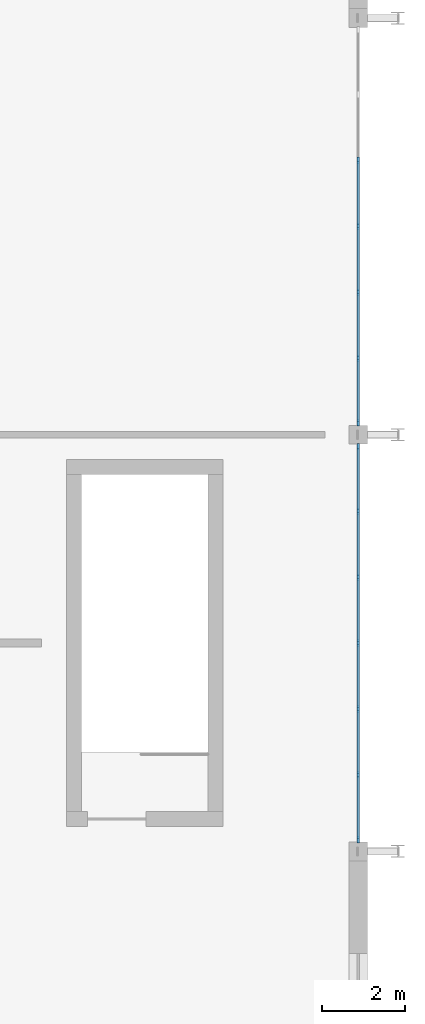
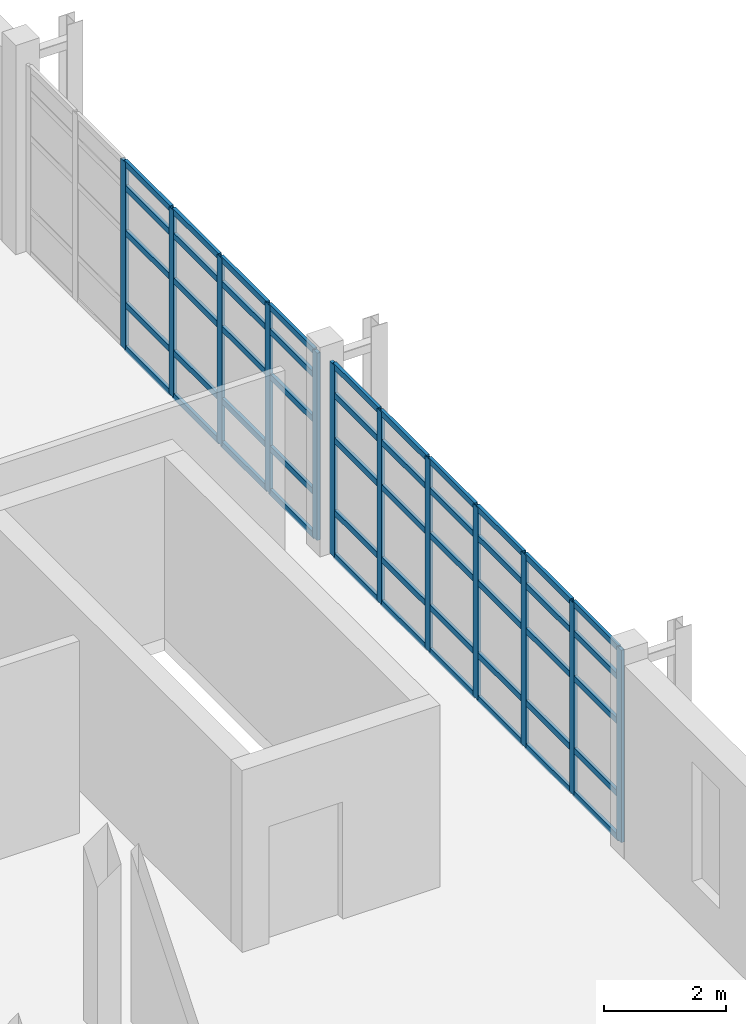
# One storey, part 62 of 122: 62 members, 2 elements without a shape of their own.
"""IFC4 building model written with IfcOpenShell, lengths in metres."""

from ifc_helpers import new_model, si_unit, direction, frame, origin, origin_2d, place, context, subcontext, project, spatial, rectangle, extrude, material, layer, layer_set, material_profile, profile_set, type_object, element, aggregate, save


model = new_model("IFC4")

# Units and contexts
model_context = context("Model", 3, precision=1e-05, world=origin(), true_north=direction((0.0, 1.0)))
body_context = subcontext(model_context, "Body", "Model", "MODEL_VIEW")
ifc_project = project(units=[si_unit("LENGTHUNIT", "METRE"), si_unit("AREAUNIT", "SQUARE_METRE"), si_unit("VOLUMEUNIT", "CUBIC_METRE"), si_unit("PLANEANGLEUNIT", "RADIAN"), si_unit("MASSUNIT", "GRAM", prefix="KILO"), si_unit("THERMODYNAMICTEMPERATUREUNIT", "KELVIN"), si_unit("POWERUNIT", "WATT")], contexts=[model_context])

# Site, building, storey
site_placement = place(None, origin())
site = spatial("IfcSite", under=ifc_project, at=site_placement, CompositionType="ELEMENT")
building_placement = place(site_placement, origin())
building = spatial("IfcBuilding", under=site, at=building_placement, Name="Korenveer Ferry Terminal", CompositionType="ELEMENT")
storey_placement = place(building_placement, frame((0.0, 0.0, 10.199951171875)))
storey = spatial("IfcBuildingStorey", under=building, at=storey_placement, Name="L02", CompositionType="ELEMENT", Elevation=10.199951171875)

# Curtain wall, members
ifc_material_1 = material(Name="Unitised bronze-and-glass curtain wall", Category="glass")
ifc_layer_1 = layer(ifc_material_1, 0.159912109375)
ifc_layer_set_1 = layer_set([ifc_layer_1], Name="Unitised bronze-and-glass curtain wall")
curtain_wall_type_1 = type_object("IfcCurtainWallType", Name="ENV-CW-86", PredefinedType="USERDEFINED", material=ifc_layer_set_1)
curtain_wall_1_placement = place(storey_placement, frame((176.0, 39.7451171875, 0.0)))
curtain_wall_1 = element("IfcCurtainWall", 1, at=curtain_wall_1_placement, inside=storey, type_object=curtain_wall_type_1, Name="Lancet curtain wall CWX-L02-X176-176-Y30-40", ObjectType="UNITISED CURTAIN WALL", PredefinedType="USERDEFINED")
ifc_material_2 = material(Name="Anodised bronze aluminium", Category="aluminium")
ifc_material_profile_1 = material_profile(ifc_material_2, rectangle(XDim=0.06005859375, YDim=0.159912109375, at=origin_2d()), Name="ALU 60x160")
ifc_profile_set_1 = profile_set([ifc_material_profile_1], Name="Anodised bronze aluminium")
member_type_1 = type_object("IfcMemberType", Name="ENV-CWM-60X160", PredefinedType="MULLION", material=ifc_profile_set_1)
member_1_placement = place(storey_placement, frame((176.0, 39.715087890625, 0.0), z_axis=(0.0, 0.0, 1.0), x_axis=(1.0, 0.0, 0.0)))
member_1 = element("IfcMember", 2, at=member_1_placement, type_object=member_type_1, Name="CW-86 mullion 1", PredefinedType="MULLION", context=body_context, shape_type="SweptSolid", body=[
    extrude(rectangle(XDim=0.06005859375, YDim=0.159912109375, at=origin_2d()), origin(), (0.0, 0.0, 1.0), 3.860107421875),
])
member_2_placement = place(storey_placement, frame((176.0, 38.163330078125, 0.0), z_axis=(0.0, 0.0, 1.0), x_axis=(1.0, 0.0, 0.0)))
member_2 = element("IfcMember", 3, at=member_2_placement, type_object=member_type_1, Name="CW-86 mullion 2", PredefinedType="MULLION", context=body_context, shape_type="SweptSolid", body=[
    extrude(rectangle(XDim=0.06005859375, YDim=0.159912109375, at=origin_2d()), origin(), (0.0, 0.0, 1.0), 3.860107421875),
])
member_3_placement = place(storey_placement, frame((176.0, 36.581787109375, 0.0), z_axis=(0.0, 0.0, 1.0), x_axis=(1.0, 0.0, 0.0)))
member_3 = element("IfcMember", 4, at=member_3_placement, type_object=member_type_1, Name="CW-86 mullion 3", PredefinedType="MULLION", context=body_context, shape_type="SweptSolid", body=[
    extrude(rectangle(XDim=0.06005859375, YDim=0.159912109375, at=origin_2d()), origin(), (0.0, 0.0, 1.0), 3.860107421875),
])
member_4_placement = place(storey_placement, frame((176.0, 35.0, 0.0), z_axis=(0.0, 0.0, 1.0), x_axis=(1.0, 0.0, 0.0)))
member_4 = element("IfcMember", 5, at=member_4_placement, type_object=member_type_1, Name="CW-86 mullion 4", PredefinedType="MULLION", context=body_context, shape_type="SweptSolid", body=[
    extrude(rectangle(XDim=0.06005859375, YDim=0.159912109375, at=origin_2d()), origin(), (0.0, 0.0, 1.0), 3.860107421875),
])
member_5_placement = place(storey_placement, frame((176.0, 33.418212890625, 0.0), z_axis=(0.0, 0.0, 1.0), x_axis=(1.0, 0.0, 0.0)))
member_5 = element("IfcMember", 6, at=member_5_placement, type_object=member_type_1, Name="CW-86 mullion 5", PredefinedType="MULLION", context=body_context, shape_type="SweptSolid", body=[
    extrude(rectangle(XDim=0.06005859375, YDim=0.159912109375, at=origin_2d()), origin(), (0.0, 0.0, 1.0), 3.860107421875),
])
member_6_placement = place(storey_placement, frame((176.0, 31.836669921875, 0.0), z_axis=(0.0, 0.0, 1.0), x_axis=(1.0, 0.0, 0.0)))
member_6 = element("IfcMember", 7, at=member_6_placement, type_object=member_type_1, Name="CW-86 mullion 6", PredefinedType="MULLION", context=body_context, shape_type="SweptSolid", body=[
    extrude(rectangle(XDim=0.06005859375, YDim=0.159912109375, at=origin_2d()), origin(), (0.0, 0.0, 1.0), 3.860107421875),
])
member_7_placement = place(storey_placement, frame((176.0, 30.284912109375, 0.0), z_axis=(0.0, 0.0, 1.0), x_axis=(1.0, 0.0, 0.0)))
member_7 = element("IfcMember", 8, at=member_7_placement, type_object=member_type_1, Name="CW-86 mullion 7", PredefinedType="MULLION", context=body_context, shape_type="SweptSolid", body=[
    extrude(rectangle(XDim=0.06005859375, YDim=0.159912109375, at=origin_2d()), origin(), (0.0, 0.0, 1.0), 3.860107421875),
])

ifc_layer_2 = layer(ifc_material_1, 0.159912109375)
ifc_layer_set_2 = layer_set([ifc_layer_2], Name="Unitised bronze-and-glass curtain wall")
curtain_wall_type_2 = type_object("IfcCurtainWallType", Name="ENV-CW-87", PredefinedType="USERDEFINED", material=ifc_layer_set_2)
curtain_wall_2_placement = place(storey_placement, frame((176.0, 49.7451171875, 0.0)))
curtain_wall_2 = element("IfcCurtainWall", 9, at=curtain_wall_2_placement, inside=storey, type_object=curtain_wall_type_2, Name="Lancet curtain wall CWX-L02-X176-176-Y40-50", ObjectType="UNITISED CURTAIN WALL", PredefinedType="USERDEFINED")
member_8_placement = place(storey_placement, frame((176.0, 46.581787109375, 0.0), z_axis=(0.0, 0.0, 1.0), x_axis=(1.0, 0.0, 0.0)))
member_8 = element("IfcMember", 10, at=member_8_placement, type_object=member_type_1, Name="CW-87 mullion 3", PredefinedType="MULLION", context=body_context, shape_type="SweptSolid", body=[
    extrude(rectangle(XDim=0.06005859375, YDim=0.159912109375, at=origin_2d()), origin(), (0.0, 0.0, 1.0), 3.760009765625),
])
member_9_placement = place(storey_placement, frame((176.0, 45.0, 0.0), z_axis=(0.0, 0.0, 1.0), x_axis=(1.0, 0.0, 0.0)))
member_9 = element("IfcMember", 11, at=member_9_placement, type_object=member_type_1, Name="CW-87 mullion 4", PredefinedType="MULLION", context=body_context, shape_type="SweptSolid", body=[
    extrude(rectangle(XDim=0.06005859375, YDim=0.159912109375, at=origin_2d()), origin(), (0.0, 0.0, 1.0), 3.760009765625),
])
member_10_placement = place(storey_placement, frame((176.0, 43.418212890625, 0.0), z_axis=(0.0, 0.0, 1.0), x_axis=(1.0, 0.0, 0.0)))
member_10 = element("IfcMember", 12, at=member_10_placement, type_object=member_type_1, Name="CW-87 mullion 5", PredefinedType="MULLION", context=body_context, shape_type="SweptSolid", body=[
    extrude(rectangle(XDim=0.06005859375, YDim=0.159912109375, at=origin_2d()), origin(), (0.0, 0.0, 1.0), 3.760009765625),
])
member_11_placement = place(storey_placement, frame((176.0, 41.836669921875, 0.0), z_axis=(0.0, 0.0, 1.0), x_axis=(1.0, 0.0, 0.0)))
member_11 = element("IfcMember", 13, at=member_11_placement, type_object=member_type_1, Name="CW-87 mullion 6", PredefinedType="MULLION", context=body_context, shape_type="SweptSolid", body=[
    extrude(rectangle(XDim=0.06005859375, YDim=0.159912109375, at=origin_2d()), origin(), (0.0, 0.0, 1.0), 3.760009765625),
])
member_12_placement = place(storey_placement, frame((176.0, 40.284912109375, 0.0), z_axis=(0.0, 0.0, 1.0), x_axis=(1.0, 0.0, 0.0)))
member_12 = element("IfcMember", 14, at=member_12_placement, type_object=member_type_1, Name="CW-87 mullion 7", PredefinedType="MULLION", context=body_context, shape_type="SweptSolid", body=[
    extrude(rectangle(XDim=0.06005859375, YDim=0.159912109375, at=origin_2d()), origin(), (0.0, 0.0, 1.0), 3.760009765625),
])

# Member
ifc_material_profile_2 = material_profile(ifc_material_2, rectangle(XDim=0.06005859375, YDim=0.1201171875, at=origin_2d()), Name="ALU 60x120")
ifc_profile_set_2 = profile_set([ifc_material_profile_2], Name="Anodised bronze aluminium")
member_type_2 = type_object("IfcMemberType", Name="ENV-CWT-60X120", PredefinedType="USERDEFINED", material=ifc_profile_set_2)
member_13_placement = place(storey_placement, frame((176.0, 39.68505859375, 0.030029296875), z_axis=(0.0, -1.0, 0.0), x_axis=(1.0, 0.0, 0.0)))
member_13 = element("IfcMember", 15, at=member_13_placement, type_object=member_type_2, Name="CW-86 transom 1.1", ObjectType="TRANSOM", PredefinedType="USERDEFINED", context=body_context, shape_type="SweptSolid", body=[
    extrude(rectangle(XDim=0.06005859375, YDim=0.1201171875, at=origin_2d()), origin(), (0.0, 0.0, 1.0), 1.49169921875),
])

member_14_placement = place(storey_placement, frame((176.0, 39.68505859375, 0.900146484375), z_axis=(0.0, -1.0, 0.0), x_axis=(1.0, 0.0, 0.0)))
member_14 = element("IfcMember", 16, at=member_14_placement, type_object=member_type_2, Name="CW-86 transom 1.2", ObjectType="TRANSOM", PredefinedType="USERDEFINED", context=body_context, shape_type="SweptSolid", body=[
    extrude(rectangle(XDim=0.06005859375, YDim=0.1201171875, at=origin_2d()), origin(), (0.0, 0.0, 1.0), 1.49169921875),
])

member_15_placement = place(storey_placement, frame((176.0, 39.68505859375, 2.35009765625), z_axis=(0.0, -1.0, 0.0), x_axis=(1.0, 0.0, 0.0)))
member_15 = element("IfcMember", 17, at=member_15_placement, type_object=member_type_2, Name="CW-86 transom 1.3", ObjectType="TRANSOM", PredefinedType="USERDEFINED", context=body_context, shape_type="SweptSolid", body=[
    extrude(rectangle(XDim=0.06005859375, YDim=0.1201171875, at=origin_2d()), origin(), (0.0, 0.0, 1.0), 1.49169921875),
])

member_16_placement = place(storey_placement, frame((176.0, 39.68505859375, 3.25), z_axis=(0.0, -1.0, 0.0), x_axis=(1.0, 0.0, 0.0)))
member_16 = element("IfcMember", 18, at=member_16_placement, type_object=member_type_2, Name="CW-86 transom 1.4", ObjectType="TRANSOM", PredefinedType="USERDEFINED", context=body_context, shape_type="SweptSolid", body=[
    extrude(rectangle(XDim=0.06005859375, YDim=0.1201171875, at=origin_2d()), origin(), (0.0, 0.0, 1.0), 1.49169921875),
])

member_17_placement = place(storey_placement, frame((176.0, 39.68505859375, 3.830078125), z_axis=(0.0, -1.0, 0.0), x_axis=(1.0, 0.0, 0.0)))
member_17 = element("IfcMember", 19, at=member_17_placement, type_object=member_type_2, Name="CW-86 transom 1.5", ObjectType="TRANSOM", PredefinedType="USERDEFINED", context=body_context, shape_type="SweptSolid", body=[
    extrude(rectangle(XDim=0.06005859375, YDim=0.1201171875, at=origin_2d()), origin(), (0.0, 0.0, 1.0), 1.49169921875),
])

member_18_placement = place(storey_placement, frame((176.0, 38.13330078125, 0.030029296875), z_axis=(0.0, -1.0, 0.0), x_axis=(1.0, 0.0, 0.0)))
member_18 = element("IfcMember", 20, at=member_18_placement, type_object=member_type_2, Name="CW-86 transom 2.1", ObjectType="TRANSOM", PredefinedType="USERDEFINED", context=body_context, shape_type="SweptSolid", body=[
    extrude(rectangle(XDim=0.06005859375, YDim=0.1201171875, at=origin_2d()), origin(), (0.0, 0.0, 1.0), 1.521728515625),
])

member_19_placement = place(storey_placement, frame((176.0, 38.13330078125, 0.900146484375), z_axis=(0.0, -1.0, 0.0), x_axis=(1.0, 0.0, 0.0)))
member_19 = element("IfcMember", 21, at=member_19_placement, type_object=member_type_2, Name="CW-86 transom 2.2", ObjectType="TRANSOM", PredefinedType="USERDEFINED", context=body_context, shape_type="SweptSolid", body=[
    extrude(rectangle(XDim=0.06005859375, YDim=0.1201171875, at=origin_2d()), origin(), (0.0, 0.0, 1.0), 1.521728515625),
])

member_20_placement = place(storey_placement, frame((176.0, 38.13330078125, 2.35009765625), z_axis=(0.0, -1.0, 0.0), x_axis=(1.0, 0.0, 0.0)))
member_20 = element("IfcMember", 22, at=member_20_placement, type_object=member_type_2, Name="CW-86 transom 2.3", ObjectType="TRANSOM", PredefinedType="USERDEFINED", context=body_context, shape_type="SweptSolid", body=[
    extrude(rectangle(XDim=0.06005859375, YDim=0.1201171875, at=origin_2d()), origin(), (0.0, 0.0, 1.0), 1.521728515625),
])

member_21_placement = place(storey_placement, frame((176.0, 38.13330078125, 3.25), z_axis=(0.0, -1.0, 0.0), x_axis=(1.0, 0.0, 0.0)))
member_21 = element("IfcMember", 23, at=member_21_placement, type_object=member_type_2, Name="CW-86 transom 2.4", ObjectType="TRANSOM", PredefinedType="USERDEFINED", context=body_context, shape_type="SweptSolid", body=[
    extrude(rectangle(XDim=0.06005859375, YDim=0.1201171875, at=origin_2d()), origin(), (0.0, 0.0, 1.0), 1.521728515625),
])

member_22_placement = place(storey_placement, frame((176.0, 38.13330078125, 3.830078125), z_axis=(0.0, -1.0, 0.0), x_axis=(1.0, 0.0, 0.0)))
member_22 = element("IfcMember", 24, at=member_22_placement, type_object=member_type_2, Name="CW-86 transom 2.5", ObjectType="TRANSOM", PredefinedType="USERDEFINED", context=body_context, shape_type="SweptSolid", body=[
    extrude(rectangle(XDim=0.06005859375, YDim=0.1201171875, at=origin_2d()), origin(), (0.0, 0.0, 1.0), 1.521728515625),
])

member_23_placement = place(storey_placement, frame((176.0, 36.5517578125, 0.030029296875), z_axis=(0.0, -1.0, 0.0), x_axis=(1.0, 0.0, 0.0)))
member_23 = element("IfcMember", 25, at=member_23_placement, type_object=member_type_2, Name="CW-86 transom 3.1", ObjectType="TRANSOM", PredefinedType="USERDEFINED", context=body_context, shape_type="SweptSolid", body=[
    extrude(rectangle(XDim=0.06005859375, YDim=0.1201171875, at=origin_2d()), origin(), (0.0, 0.0, 1.0), 1.521728515625),
])

member_24_placement = place(storey_placement, frame((176.0, 36.5517578125, 0.900146484375), z_axis=(0.0, -1.0, 0.0), x_axis=(1.0, 0.0, 0.0)))
member_24 = element("IfcMember", 26, at=member_24_placement, type_object=member_type_2, Name="CW-86 transom 3.2", ObjectType="TRANSOM", PredefinedType="USERDEFINED", context=body_context, shape_type="SweptSolid", body=[
    extrude(rectangle(XDim=0.06005859375, YDim=0.1201171875, at=origin_2d()), origin(), (0.0, 0.0, 1.0), 1.521728515625),
])

member_25_placement = place(storey_placement, frame((176.0, 36.5517578125, 2.35009765625), z_axis=(0.0, -1.0, 0.0), x_axis=(1.0, 0.0, 0.0)))
member_25 = element("IfcMember", 27, at=member_25_placement, type_object=member_type_2, Name="CW-86 transom 3.3", ObjectType="TRANSOM", PredefinedType="USERDEFINED", context=body_context, shape_type="SweptSolid", body=[
    extrude(rectangle(XDim=0.06005859375, YDim=0.1201171875, at=origin_2d()), origin(), (0.0, 0.0, 1.0), 1.521728515625),
])

member_26_placement = place(storey_placement, frame((176.0, 36.5517578125, 3.25), z_axis=(0.0, -1.0, 0.0), x_axis=(1.0, 0.0, 0.0)))
member_26 = element("IfcMember", 28, at=member_26_placement, type_object=member_type_2, Name="CW-86 transom 3.4", ObjectType="TRANSOM", PredefinedType="USERDEFINED", context=body_context, shape_type="SweptSolid", body=[
    extrude(rectangle(XDim=0.06005859375, YDim=0.1201171875, at=origin_2d()), origin(), (0.0, 0.0, 1.0), 1.521728515625),
])

member_27_placement = place(storey_placement, frame((176.0, 36.5517578125, 3.830078125), z_axis=(0.0, -1.0, 0.0), x_axis=(1.0, 0.0, 0.0)))
member_27 = element("IfcMember", 29, at=member_27_placement, type_object=member_type_2, Name="CW-86 transom 3.5", ObjectType="TRANSOM", PredefinedType="USERDEFINED", context=body_context, shape_type="SweptSolid", body=[
    extrude(rectangle(XDim=0.06005859375, YDim=0.1201171875, at=origin_2d()), origin(), (0.0, 0.0, 1.0), 1.521728515625),
])

member_28_placement = place(storey_placement, frame((176.0, 34.969970703125, 0.030029296875), z_axis=(0.0, -1.0, 0.0), x_axis=(1.0, 0.0, 0.0)))
member_28 = element("IfcMember", 30, at=member_28_placement, type_object=member_type_2, Name="CW-86 transom 4.1", ObjectType="TRANSOM", PredefinedType="USERDEFINED", context=body_context, shape_type="SweptSolid", body=[
    extrude(rectangle(XDim=0.06005859375, YDim=0.1201171875, at=origin_2d()), origin(), (0.0, 0.0, 1.0), 1.521728515625),
])

member_29_placement = place(storey_placement, frame((176.0, 34.969970703125, 0.900146484375), z_axis=(0.0, -1.0, 0.0), x_axis=(1.0, 0.0, 0.0)))
member_29 = element("IfcMember", 31, at=member_29_placement, type_object=member_type_2, Name="CW-86 transom 4.2", ObjectType="TRANSOM", PredefinedType="USERDEFINED", context=body_context, shape_type="SweptSolid", body=[
    extrude(rectangle(XDim=0.06005859375, YDim=0.1201171875, at=origin_2d()), origin(), (0.0, 0.0, 1.0), 1.521728515625),
])

member_30_placement = place(storey_placement, frame((176.0, 34.969970703125, 2.35009765625), z_axis=(0.0, -1.0, 0.0), x_axis=(1.0, 0.0, 0.0)))
member_30 = element("IfcMember", 32, at=member_30_placement, type_object=member_type_2, Name="CW-86 transom 4.3", ObjectType="TRANSOM", PredefinedType="USERDEFINED", context=body_context, shape_type="SweptSolid", body=[
    extrude(rectangle(XDim=0.06005859375, YDim=0.1201171875, at=origin_2d()), origin(), (0.0, 0.0, 1.0), 1.521728515625),
])

member_31_placement = place(storey_placement, frame((176.0, 34.969970703125, 3.25), z_axis=(0.0, -1.0, 0.0), x_axis=(1.0, 0.0, 0.0)))
member_31 = element("IfcMember", 33, at=member_31_placement, type_object=member_type_2, Name="CW-86 transom 4.4", ObjectType="TRANSOM", PredefinedType="USERDEFINED", context=body_context, shape_type="SweptSolid", body=[
    extrude(rectangle(XDim=0.06005859375, YDim=0.1201171875, at=origin_2d()), origin(), (0.0, 0.0, 1.0), 1.521728515625),
])

member_32_placement = place(storey_placement, frame((176.0, 34.969970703125, 3.830078125), z_axis=(0.0, -1.0, 0.0), x_axis=(1.0, 0.0, 0.0)))
member_32 = element("IfcMember", 34, at=member_32_placement, type_object=member_type_2, Name="CW-86 transom 4.5", ObjectType="TRANSOM", PredefinedType="USERDEFINED", context=body_context, shape_type="SweptSolid", body=[
    extrude(rectangle(XDim=0.06005859375, YDim=0.1201171875, at=origin_2d()), origin(), (0.0, 0.0, 1.0), 1.521728515625),
])

member_33_placement = place(storey_placement, frame((176.0, 33.388427734375, 0.030029296875), z_axis=(0.0, -1.0, 0.0), x_axis=(1.0, 0.0, 0.0)))
member_33 = element("IfcMember", 35, at=member_33_placement, type_object=member_type_2, Name="CW-86 transom 5.1", ObjectType="TRANSOM", PredefinedType="USERDEFINED", context=body_context, shape_type="SweptSolid", body=[
    extrude(rectangle(XDim=0.06005859375, YDim=0.1201171875, at=origin_2d()), origin(), (0.0, 0.0, 1.0), 1.521728515625),
])

member_34_placement = place(storey_placement, frame((176.0, 33.388427734375, 0.900146484375), z_axis=(0.0, -1.0, 0.0), x_axis=(1.0, 0.0, 0.0)))
member_34 = element("IfcMember", 36, at=member_34_placement, type_object=member_type_2, Name="CW-86 transom 5.2", ObjectType="TRANSOM", PredefinedType="USERDEFINED", context=body_context, shape_type="SweptSolid", body=[
    extrude(rectangle(XDim=0.06005859375, YDim=0.1201171875, at=origin_2d()), origin(), (0.0, 0.0, 1.0), 1.521728515625),
])

member_35_placement = place(storey_placement, frame((176.0, 33.388427734375, 2.35009765625), z_axis=(0.0, -1.0, 0.0), x_axis=(1.0, 0.0, 0.0)))
member_35 = element("IfcMember", 37, at=member_35_placement, type_object=member_type_2, Name="CW-86 transom 5.3", ObjectType="TRANSOM", PredefinedType="USERDEFINED", context=body_context, shape_type="SweptSolid", body=[
    extrude(rectangle(XDim=0.06005859375, YDim=0.1201171875, at=origin_2d()), origin(), (0.0, 0.0, 1.0), 1.521728515625),
])

member_36_placement = place(storey_placement, frame((176.0, 33.388427734375, 3.25), z_axis=(0.0, -1.0, 0.0), x_axis=(1.0, 0.0, 0.0)))
member_36 = element("IfcMember", 38, at=member_36_placement, type_object=member_type_2, Name="CW-86 transom 5.4", ObjectType="TRANSOM", PredefinedType="USERDEFINED", context=body_context, shape_type="SweptSolid", body=[
    extrude(rectangle(XDim=0.06005859375, YDim=0.1201171875, at=origin_2d()), origin(), (0.0, 0.0, 1.0), 1.521728515625),
])

member_37_placement = place(storey_placement, frame((176.0, 33.388427734375, 3.830078125), z_axis=(0.0, -1.0, 0.0), x_axis=(1.0, 0.0, 0.0)))
member_37 = element("IfcMember", 39, at=member_37_placement, type_object=member_type_2, Name="CW-86 transom 5.5", ObjectType="TRANSOM", PredefinedType="USERDEFINED", context=body_context, shape_type="SweptSolid", body=[
    extrude(rectangle(XDim=0.06005859375, YDim=0.1201171875, at=origin_2d()), origin(), (0.0, 0.0, 1.0), 1.521728515625),
])

member_38_placement = place(storey_placement, frame((176.0, 31.806640625, 0.030029296875), z_axis=(0.0, -1.0, 0.0), x_axis=(1.0, 0.0, 0.0)))
member_38 = element("IfcMember", 40, at=member_38_placement, type_object=member_type_2, Name="CW-86 transom 6.1", ObjectType="TRANSOM", PredefinedType="USERDEFINED", context=body_context, shape_type="SweptSolid", body=[
    extrude(rectangle(XDim=0.06005859375, YDim=0.1201171875, at=origin_2d()), origin(), (0.0, 0.0, 1.0), 1.49169921875),
])

member_39_placement = place(storey_placement, frame((176.0, 31.806640625, 0.900146484375), z_axis=(0.0, -1.0, 0.0), x_axis=(1.0, 0.0, 0.0)))
member_39 = element("IfcMember", 41, at=member_39_placement, type_object=member_type_2, Name="CW-86 transom 6.2", ObjectType="TRANSOM", PredefinedType="USERDEFINED", context=body_context, shape_type="SweptSolid", body=[
    extrude(rectangle(XDim=0.06005859375, YDim=0.1201171875, at=origin_2d()), origin(), (0.0, 0.0, 1.0), 1.49169921875),
])

member_40_placement = place(storey_placement, frame((176.0, 31.806640625, 2.35009765625), z_axis=(0.0, -1.0, 0.0), x_axis=(1.0, 0.0, 0.0)))
member_40 = element("IfcMember", 42, at=member_40_placement, type_object=member_type_2, Name="CW-86 transom 6.3", ObjectType="TRANSOM", PredefinedType="USERDEFINED", context=body_context, shape_type="SweptSolid", body=[
    extrude(rectangle(XDim=0.06005859375, YDim=0.1201171875, at=origin_2d()), origin(), (0.0, 0.0, 1.0), 1.49169921875),
])

member_41_placement = place(storey_placement, frame((176.0, 31.806640625, 3.25), z_axis=(0.0, -1.0, 0.0), x_axis=(1.0, 0.0, 0.0)))
member_41 = element("IfcMember", 43, at=member_41_placement, type_object=member_type_2, Name="CW-86 transom 6.4", ObjectType="TRANSOM", PredefinedType="USERDEFINED", context=body_context, shape_type="SweptSolid", body=[
    extrude(rectangle(XDim=0.06005859375, YDim=0.1201171875, at=origin_2d()), origin(), (0.0, 0.0, 1.0), 1.49169921875),
])

member_42_placement = place(storey_placement, frame((176.0, 31.806640625, 3.830078125), z_axis=(0.0, -1.0, 0.0), x_axis=(1.0, 0.0, 0.0)))
member_42 = element("IfcMember", 44, at=member_42_placement, type_object=member_type_2, Name="CW-86 transom 6.5", ObjectType="TRANSOM", PredefinedType="USERDEFINED", context=body_context, shape_type="SweptSolid", body=[
    extrude(rectangle(XDim=0.06005859375, YDim=0.1201171875, at=origin_2d()), origin(), (0.0, 0.0, 1.0), 1.49169921875),
])

aggregate(curtain_wall_1, [member_1, member_2, member_3, member_4, member_5, member_6, member_7, member_13, member_14, member_15, member_16, member_17, member_18, member_19, member_20, member_21, member_22, member_23, member_24, member_25, member_26, member_27, member_28, member_29, member_30, member_31, member_32, member_33, member_34, member_35, member_36, member_37, member_38, member_39, member_40, member_41, member_42])

member_43_placement = place(storey_placement, frame((176.0, 46.5517578125, 0.030029296875), z_axis=(0.0, -1.0, 0.0), x_axis=(1.0, 0.0, 0.0)))
member_43 = element("IfcMember", 45, at=member_43_placement, type_object=member_type_2, Name="CW-87 transom 3.1", ObjectType="TRANSOM", PredefinedType="USERDEFINED", context=body_context, shape_type="SweptSolid", body=[
    extrude(rectangle(XDim=0.06005859375, YDim=0.1201171875, at=origin_2d()), origin(), (0.0, 0.0, 1.0), 1.521728515625),
])

member_44_placement = place(storey_placement, frame((176.0, 46.5517578125, 0.900146484375), z_axis=(0.0, -1.0, 0.0), x_axis=(1.0, 0.0, 0.0)))
member_44 = element("IfcMember", 46, at=member_44_placement, type_object=member_type_2, Name="CW-87 transom 3.2", ObjectType="TRANSOM", PredefinedType="USERDEFINED", context=body_context, shape_type="SweptSolid", body=[
    extrude(rectangle(XDim=0.06005859375, YDim=0.1201171875, at=origin_2d()), origin(), (0.0, 0.0, 1.0), 1.521728515625),
])

member_45_placement = place(storey_placement, frame((176.0, 46.5517578125, 2.35009765625), z_axis=(0.0, -1.0, 0.0), x_axis=(1.0, 0.0, 0.0)))
member_45 = element("IfcMember", 47, at=member_45_placement, type_object=member_type_2, Name="CW-87 transom 3.3", ObjectType="TRANSOM", PredefinedType="USERDEFINED", context=body_context, shape_type="SweptSolid", body=[
    extrude(rectangle(XDim=0.06005859375, YDim=0.1201171875, at=origin_2d()), origin(), (0.0, 0.0, 1.0), 1.521728515625),
])

member_46_placement = place(storey_placement, frame((176.0, 46.5517578125, 3.25), z_axis=(0.0, -1.0, 0.0), x_axis=(1.0, 0.0, 0.0)))
member_46 = element("IfcMember", 48, at=member_46_placement, type_object=member_type_2, Name="CW-87 transom 3.4", ObjectType="TRANSOM", PredefinedType="USERDEFINED", context=body_context, shape_type="SweptSolid", body=[
    extrude(rectangle(XDim=0.06005859375, YDim=0.1201171875, at=origin_2d()), origin(), (0.0, 0.0, 1.0), 1.521728515625),
])

member_47_placement = place(storey_placement, frame((176.0, 46.5517578125, 3.72998046875), z_axis=(0.0, -1.0, 0.0), x_axis=(1.0, 0.0, 0.0)))
member_47 = element("IfcMember", 49, at=member_47_placement, type_object=member_type_2, Name="CW-87 transom 3.5", ObjectType="TRANSOM", PredefinedType="USERDEFINED", context=body_context, shape_type="SweptSolid", body=[
    extrude(rectangle(XDim=0.06005859375, YDim=0.1201171875, at=origin_2d()), origin(), (0.0, 0.0, 1.0), 1.521728515625),
])

member_48_placement = place(storey_placement, frame((176.0, 44.969970703125, 0.030029296875), z_axis=(0.0, -1.0, 0.0), x_axis=(1.0, 0.0, 0.0)))
member_48 = element("IfcMember", 50, at=member_48_placement, type_object=member_type_2, Name="CW-87 transom 4.1", ObjectType="TRANSOM", PredefinedType="USERDEFINED", context=body_context, shape_type="SweptSolid", body=[
    extrude(rectangle(XDim=0.06005859375, YDim=0.1201171875, at=origin_2d()), origin(), (0.0, 0.0, 1.0), 1.521728515625),
])

member_49_placement = place(storey_placement, frame((176.0, 44.969970703125, 0.900146484375), z_axis=(0.0, -1.0, 0.0), x_axis=(1.0, 0.0, 0.0)))
member_49 = element("IfcMember", 51, at=member_49_placement, type_object=member_type_2, Name="CW-87 transom 4.2", ObjectType="TRANSOM", PredefinedType="USERDEFINED", context=body_context, shape_type="SweptSolid", body=[
    extrude(rectangle(XDim=0.06005859375, YDim=0.1201171875, at=origin_2d()), origin(), (0.0, 0.0, 1.0), 1.521728515625),
])

member_50_placement = place(storey_placement, frame((176.0, 44.969970703125, 2.35009765625), z_axis=(0.0, -1.0, 0.0), x_axis=(1.0, 0.0, 0.0)))
member_50 = element("IfcMember", 52, at=member_50_placement, type_object=member_type_2, Name="CW-87 transom 4.3", ObjectType="TRANSOM", PredefinedType="USERDEFINED", context=body_context, shape_type="SweptSolid", body=[
    extrude(rectangle(XDim=0.06005859375, YDim=0.1201171875, at=origin_2d()), origin(), (0.0, 0.0, 1.0), 1.521728515625),
])

member_51_placement = place(storey_placement, frame((176.0, 44.969970703125, 3.25), z_axis=(0.0, -1.0, 0.0), x_axis=(1.0, 0.0, 0.0)))
member_51 = element("IfcMember", 53, at=member_51_placement, type_object=member_type_2, Name="CW-87 transom 4.4", ObjectType="TRANSOM", PredefinedType="USERDEFINED", context=body_context, shape_type="SweptSolid", body=[
    extrude(rectangle(XDim=0.06005859375, YDim=0.1201171875, at=origin_2d()), origin(), (0.0, 0.0, 1.0), 1.521728515625),
])

member_52_placement = place(storey_placement, frame((176.0, 44.969970703125, 3.72998046875), z_axis=(0.0, -1.0, 0.0), x_axis=(1.0, 0.0, 0.0)))
member_52 = element("IfcMember", 54, at=member_52_placement, type_object=member_type_2, Name="CW-87 transom 4.5", ObjectType="TRANSOM", PredefinedType="USERDEFINED", context=body_context, shape_type="SweptSolid", body=[
    extrude(rectangle(XDim=0.06005859375, YDim=0.1201171875, at=origin_2d()), origin(), (0.0, 0.0, 1.0), 1.521728515625),
])

member_53_placement = place(storey_placement, frame((176.0, 43.388427734375, 0.030029296875), z_axis=(0.0, -1.0, 0.0), x_axis=(1.0, 0.0, 0.0)))
member_53 = element("IfcMember", 55, at=member_53_placement, type_object=member_type_2, Name="CW-87 transom 5.1", ObjectType="TRANSOM", PredefinedType="USERDEFINED", context=body_context, shape_type="SweptSolid", body=[
    extrude(rectangle(XDim=0.06005859375, YDim=0.1201171875, at=origin_2d()), origin(), (0.0, 0.0, 1.0), 1.521728515625),
])

member_54_placement = place(storey_placement, frame((176.0, 43.388427734375, 0.900146484375), z_axis=(0.0, -1.0, 0.0), x_axis=(1.0, 0.0, 0.0)))
member_54 = element("IfcMember", 56, at=member_54_placement, type_object=member_type_2, Name="CW-87 transom 5.2", ObjectType="TRANSOM", PredefinedType="USERDEFINED", context=body_context, shape_type="SweptSolid", body=[
    extrude(rectangle(XDim=0.06005859375, YDim=0.1201171875, at=origin_2d()), origin(), (0.0, 0.0, 1.0), 1.521728515625),
])

member_55_placement = place(storey_placement, frame((176.0, 43.388427734375, 2.35009765625), z_axis=(0.0, -1.0, 0.0), x_axis=(1.0, 0.0, 0.0)))
member_55 = element("IfcMember", 57, at=member_55_placement, type_object=member_type_2, Name="CW-87 transom 5.3", ObjectType="TRANSOM", PredefinedType="USERDEFINED", context=body_context, shape_type="SweptSolid", body=[
    extrude(rectangle(XDim=0.06005859375, YDim=0.1201171875, at=origin_2d()), origin(), (0.0, 0.0, 1.0), 1.521728515625),
])

member_56_placement = place(storey_placement, frame((176.0, 43.388427734375, 3.25), z_axis=(0.0, -1.0, 0.0), x_axis=(1.0, 0.0, 0.0)))
member_56 = element("IfcMember", 58, at=member_56_placement, type_object=member_type_2, Name="CW-87 transom 5.4", ObjectType="TRANSOM", PredefinedType="USERDEFINED", context=body_context, shape_type="SweptSolid", body=[
    extrude(rectangle(XDim=0.06005859375, YDim=0.1201171875, at=origin_2d()), origin(), (0.0, 0.0, 1.0), 1.521728515625),
])

member_57_placement = place(storey_placement, frame((176.0, 43.388427734375, 3.72998046875), z_axis=(0.0, -1.0, 0.0), x_axis=(1.0, 0.0, 0.0)))
member_57 = element("IfcMember", 59, at=member_57_placement, type_object=member_type_2, Name="CW-87 transom 5.5", ObjectType="TRANSOM", PredefinedType="USERDEFINED", context=body_context, shape_type="SweptSolid", body=[
    extrude(rectangle(XDim=0.06005859375, YDim=0.1201171875, at=origin_2d()), origin(), (0.0, 0.0, 1.0), 1.521728515625),
])

member_58_placement = place(storey_placement, frame((176.0, 41.806640625, 0.030029296875), z_axis=(0.0, -1.0, 0.0), x_axis=(1.0, 0.0, 0.0)))
member_58 = element("IfcMember", 60, at=member_58_placement, type_object=member_type_2, Name="CW-87 transom 6.1", ObjectType="TRANSOM", PredefinedType="USERDEFINED", context=body_context, shape_type="SweptSolid", body=[
    extrude(rectangle(XDim=0.06005859375, YDim=0.1201171875, at=origin_2d()), origin(), (0.0, 0.0, 1.0), 1.49169921875),
])

member_59_placement = place(storey_placement, frame((176.0, 41.806640625, 0.900146484375), z_axis=(0.0, -1.0, 0.0), x_axis=(1.0, 0.0, 0.0)))
member_59 = element("IfcMember", 61, at=member_59_placement, type_object=member_type_2, Name="CW-87 transom 6.2", ObjectType="TRANSOM", PredefinedType="USERDEFINED", context=body_context, shape_type="SweptSolid", body=[
    extrude(rectangle(XDim=0.06005859375, YDim=0.1201171875, at=origin_2d()), origin(), (0.0, 0.0, 1.0), 1.49169921875),
])

member_60_placement = place(storey_placement, frame((176.0, 41.806640625, 2.35009765625), z_axis=(0.0, -1.0, 0.0), x_axis=(1.0, 0.0, 0.0)))
member_60 = element("IfcMember", 62, at=member_60_placement, type_object=member_type_2, Name="CW-87 transom 6.3", ObjectType="TRANSOM", PredefinedType="USERDEFINED", context=body_context, shape_type="SweptSolid", body=[
    extrude(rectangle(XDim=0.06005859375, YDim=0.1201171875, at=origin_2d()), origin(), (0.0, 0.0, 1.0), 1.49169921875),
])

member_61_placement = place(storey_placement, frame((176.0, 41.806640625, 3.25), z_axis=(0.0, -1.0, 0.0), x_axis=(1.0, 0.0, 0.0)))
member_61 = element("IfcMember", 63, at=member_61_placement, type_object=member_type_2, Name="CW-87 transom 6.4", ObjectType="TRANSOM", PredefinedType="USERDEFINED", context=body_context, shape_type="SweptSolid", body=[
    extrude(rectangle(XDim=0.06005859375, YDim=0.1201171875, at=origin_2d()), origin(), (0.0, 0.0, 1.0), 1.49169921875),
])

member_62_placement = place(storey_placement, frame((176.0, 41.806640625, 3.72998046875), z_axis=(0.0, -1.0, 0.0), x_axis=(1.0, 0.0, 0.0)))
member_62 = element("IfcMember", 64, at=member_62_placement, type_object=member_type_2, Name="CW-87 transom 6.5", ObjectType="TRANSOM", PredefinedType="USERDEFINED", context=body_context, shape_type="SweptSolid", body=[
    extrude(rectangle(XDim=0.06005859375, YDim=0.1201171875, at=origin_2d()), origin(), (0.0, 0.0, 1.0), 1.49169921875),
])

aggregate(curtain_wall_2, [member_8, member_9, member_10, member_11, member_12, member_43, member_44, member_45, member_46, member_47, member_48, member_49, member_50, member_51, member_52, member_53, member_54, member_55, member_56, member_57, member_58, member_59, member_60, member_61, member_62])

save(model, "model.ifc")
